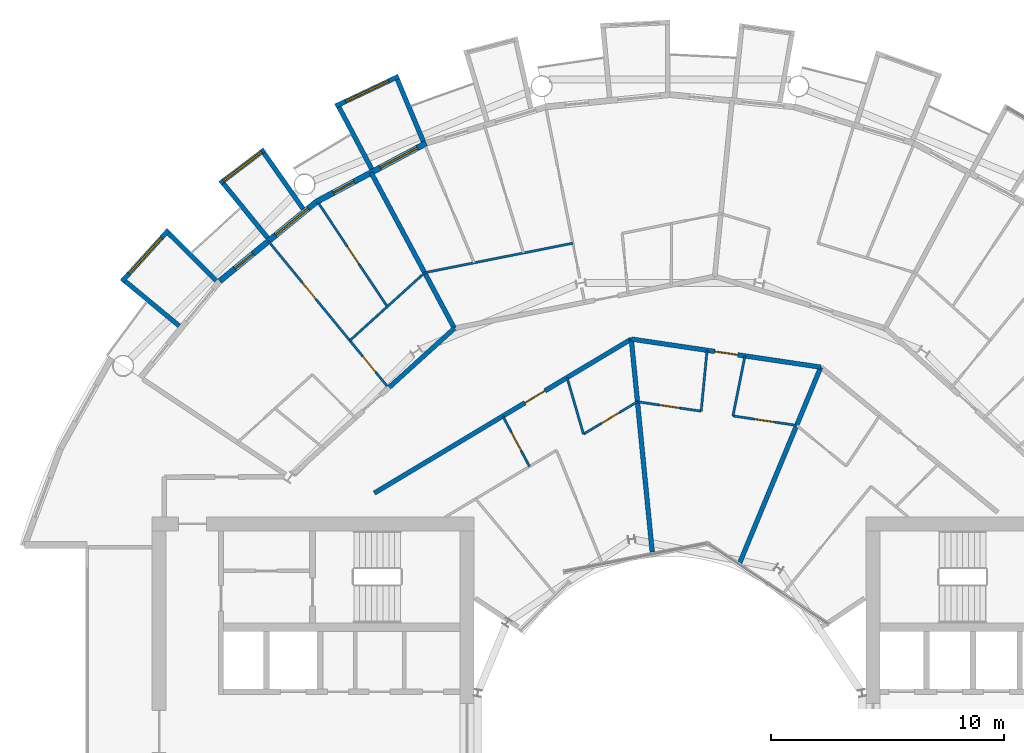
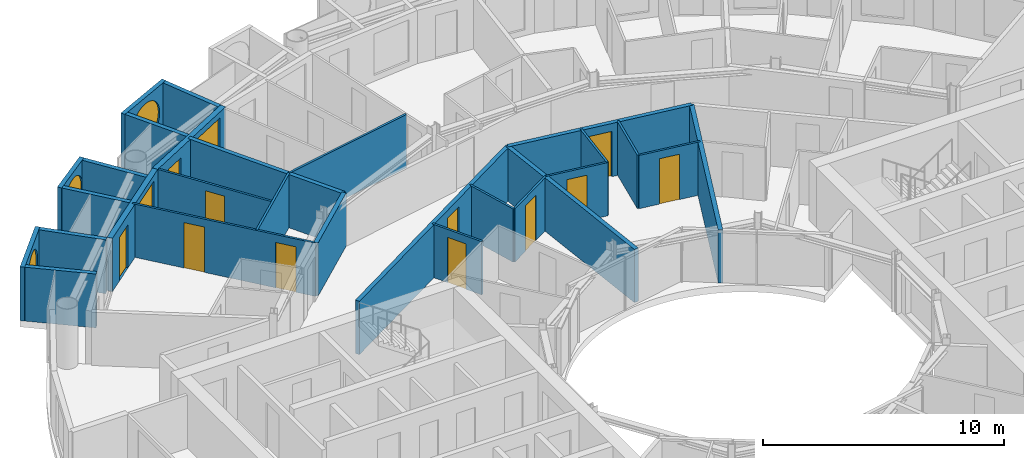
# One storey, part 20 of 28: 28 walls, 11 doors, 5 windows, 16 openings.
"""IFC4 building model written with IfcOpenShell, lengths in metres."""

from ifc_helpers import new_model, si_unit, direction, frame, frame_2d, origin, place, context, subcontext, project, spatial, rectangle, circle, extrude, material, layer, layer_set, type_object, element, fill, save


model = new_model("IFC4")

# Units and contexts
model_context = context("Model", 3, precision=1e-05, world=origin(), true_north=direction((0.0, 1.0)))
body_context = subcontext(model_context, "Body", "Model", "MODEL_VIEW")
ifc_project = project(units=[si_unit("LENGTHUNIT", "METRE"), si_unit("AREAUNIT", "SQUARE_METRE"), si_unit("VOLUMEUNIT", "CUBIC_METRE"), si_unit("PLANEANGLEUNIT", "RADIAN"), si_unit("MASSUNIT", "GRAM", prefix="KILO")], contexts=[model_context])

# Site, building, storey
site_placement = place(None, origin())
site = spatial("IfcSite", under=ifc_project, at=site_placement, CompositionType="ELEMENT")
building_placement = place(site_placement, origin())
building = spatial("IfcBuilding", under=site, at=building_placement, Name="Maasbend Ring Residences", CompositionType="ELEMENT")
storey_placement = place(building_placement, frame((0.0, 0.0, 129.949951171875)))
storey = spatial("IfcBuildingStorey", under=building, at=storey_placement, Name="L37", CompositionType="ELEMENT", Elevation=129.949951171875)

# Wall, opening, door
ifc_material_1 = material(Name="Concrete C30/37", Category="concrete")
ifc_layer_1 = layer(ifc_material_1, 0.199951171875)
ifc_layer_set_1 = layer_set([ifc_layer_1], Name="Concrete C30/37")
wall_type_1 = type_object("IfcWallType", Name="CORRIDOR WALL 200 CONCRETE", PredefinedType="PARTITIONING", material=ifc_layer_set_1)
wall_1_placement = place(storey_placement, frame((-12.675048828125, 10.215087890625, 0.0), z_axis=(0.0, 0.0, 1.0), x_axis=(0.85772761283, 0.514104407867, 0.0)))
wall_1 = element("IfcWall", 1, at=wall_1_placement, inside=storey, type_object=wall_type_1, Name="U-L37-w106", PredefinedType="PARTITIONING", context=body_context, shape_type="SweptSolid", body=[
    extrude(rectangle(XDim=12.845703125, YDim=0.199951171875, at=frame_2d((6.4228515625, 0.0))), origin(), (0.0, 0.0, 1.0), 2.699951171875),
])
opening_1_placement = place(wall_1_placement, frame((7.529052734375, 0.0, 0.0)))
opening_1 = element("IfcOpeningElement", 2, at=opening_1_placement, cuts=wall_1, Name="Opening D-3731", PredefinedType="OPENING", context=body_context, shape_type="SweptSolid", body=[
    extrude(rectangle(XDim=1.0, YDim=2.300048828125, at=frame_2d((0.5, 1.14990234375))), frame((0.0, 0.10986328125, 0.0), z_axis=(0.0, -1.0, 0.0), x_axis=(1.0, 0.0, 0.0)), (0.0, 0.0, 1.0), 0.219970703125),
])
ifc_material_2 = material(Name="Timber, fire-rated, painted", Category="wood")
door_type_1 = type_object("IfcDoorType", Name="FLAT ENTRANCE DOOR 1000 X 2300 FIRE-RATED", OperationType="NOTDEFINED", PredefinedType="DOOR", material=ifc_material_2)
door_1_placement = place(opening_1_placement, origin())
door_1 = element("IfcDoor", 3, at=door_1_placement, inside=storey, type_object=door_type_1, Name="D-3731", OperationType="SINGLE_SWING_RIGHT", OverallHeight=2.300048828125, OverallWidth=1.0, PredefinedType="DOOR", context=body_context, shape_type="SweptSolid", body=[
    extrude(rectangle(XDim=1.0, YDim=2.300048828125, at=frame_2d((0.5, 1.14990234375))), frame((0.0, 0.02490234375, 0.0), z_axis=(0.0, -1.0, 0.0), x_axis=(1.0, 0.0, 0.0)), (0.0, 0.0, 1.0), 0.050048828125),
])
fill(opening_1, door_1)

wall_2_placement = place(storey_placement, frame((-1.656005859375, 16.819091796875, 0.0), z_axis=(0.0, 0.0, 1.0), x_axis=(0.989174071716, -0.146746910856, 0.0)))
wall_2 = element("IfcWall", 4, at=wall_2_placement, inside=storey, type_object=wall_type_1, Name="U-L37-w108", PredefinedType="PARTITIONING", context=body_context, shape_type="SweptSolid", body=[
    extrude(rectangle(XDim=8.2119140625, YDim=0.199951171875, at=frame_2d((4.10595703125, 0.0))), origin(), (0.0, 0.0, 1.0), 2.699951171875),
])
opening_2_placement = place(wall_2_placement, frame((3.614013671875, 0.0, 0.0)))
opening_2 = element("IfcOpeningElement", 5, at=opening_2_placement, cuts=wall_2, Name="Opening D-3728", PredefinedType="OPENING", context=body_context, shape_type="SweptSolid", body=[
    extrude(rectangle(XDim=1.0, YDim=2.300048828125, at=frame_2d((0.5, 1.14990234375))), frame((0.0, 0.10986328125, 0.0), z_axis=(0.0, -1.0, 0.0), x_axis=(1.0, 0.0, 0.0)), (0.0, 0.0, 1.0), 0.219970703125),
])
door_2_placement = place(opening_2_placement, origin())
door_2 = element("IfcDoor", 6, at=door_2_placement, inside=storey, type_object=door_type_1, Name="D-3728", OperationType="SINGLE_SWING_RIGHT", OverallHeight=2.300048828125, OverallWidth=1.0, PredefinedType="DOOR", context=body_context, shape_type="SweptSolid", body=[
    extrude(rectangle(XDim=1.0, YDim=2.300048828125, at=frame_2d((0.5, 1.14990234375))), frame((0.0, 0.02490234375, 0.0), z_axis=(0.0, -1.0, 0.0), x_axis=(1.0, 0.0, 0.0)), (0.0, 0.0, 1.0), 0.050048828125),
])
fill(opening_2, door_2)

# Wall
wall_3_placement = place(storey_placement, frame((-12.055908203125, 14.73095703125, 0.0), z_axis=(0.0, 0.0, 1.0), x_axis=(0.74113339149, 0.671357800296, 0.0)))
element("IfcWall", 7, at=wall_3_placement, inside=storey, type_object=wall_type_1, Name="U-L37-w113", PredefinedType="PARTITIONING", context=body_context, shape_type="SweptSolid", body=[
    extrude(rectangle(XDim=3.810302734375, YDim=0.199951171875, at=frame_2d((1.9052734375, 0.0))), origin(), (0.0, 0.0, 1.0), 2.699951171875),
])

# Wall, opening, window
ifc_material_3 = material(Name="Pale anodised aluminium panel", Category="aluminium")
ifc_layer_2 = layer(ifc_material_3, 0.199951171875)
ifc_layer_set_2 = layer_set([ifc_layer_2], Name="EW-BOX")
wall_type_2 = type_object("IfcWallType", Name="EW-BOX", PredefinedType="SOLIDWALL", material=ifc_layer_set_2)
wall_4_placement = place(storey_placement, frame((-11.62890625, 28.087890625, -0.030029296875), z_axis=(0.0, 0.0, 1.0), x_axis=(-0.904000060331, -0.427532327342, 0.0)))
wall_4 = element("IfcWall", 8, at=wall_4_placement, inside=storey, type_object=wall_type_2, Name="Box front N15", PredefinedType="SOLIDWALL", context=body_context, shape_type="SweptSolid", body=[
    extrude(rectangle(XDim=2.993408203125, YDim=0.199951171875, at=frame_2d((1.49658203125, 0.0))), origin(), (0.0, 0.0, 1.0), 2.72998046875),
])
opening_3_placement = place(wall_4_placement, frame((0.45654296875, 0.0, 0.330078125)))
opening_3 = element("IfcOpeningElement", 9, at=opening_3_placement, cuts=wall_4, Name="Opening W-RD", PredefinedType="OPENING", context=body_context, shape_type="SweptSolid", body=[
    extrude(circle(Radius=1.0400390625, at=frame_2d((1.0400390625, 1.0400390625))), frame((0.0, 0.10986328125, 0.0), z_axis=(0.0, -1.0, 0.0), x_axis=(1.0, 0.0, 0.0)), (0.0, 0.0, 1.0), 0.219970703125),
])
ifc_material_4 = material(Name="Aluminium and clear glass", Category="aluminium")
window_type_1 = type_object("IfcWindowType", Name="W-RD", PartitioningType="SINGLE_PANEL", PredefinedType="WINDOW", material=ifc_material_4)
window_1_placement = place(opening_3_placement, origin())
window_1 = element("IfcWindow", 10, at=window_1_placement, inside=storey, type_object=window_type_1, Name="Round window N15", OverallHeight=2.080078125, OverallWidth=2.080078125, PartitioningType="SINGLE_PANEL", PredefinedType="WINDOW", context=body_context, shape_type="SweptSolid", body=[
    extrude(circle(Radius=1.0400390625, at=frame_2d((1.0400390625, 1.0400390625))), frame((0.0, 0.030029296875, 0.0), z_axis=(0.0, -1.0, 0.0), x_axis=(1.0, 0.0, 0.0)), (0.0, 0.0, 1.0), 0.06005859375),
])
fill(opening_3, window_1)

# Walls
wall_5_placement = place(storey_placement, frame((-10.574951171875, 25.294921875, -0.030029296875), z_axis=(0.0, 0.0, 1.0), x_axis=(-0.385697364644, 0.922625353492, 0.0)))
element("IfcWall", 11, at=wall_5_placement, inside=storey, type_object=wall_type_2, Name="Box side wall N15 left", PredefinedType="SOLIDWALL", context=body_context, shape_type="SweptSolid", body=[
    extrude(rectangle(XDim=2.88330078125, YDim=0.199951171875, at=frame_2d((1.441650390625, 0.0))), origin(), (0.0, 0.0, 1.0), 2.72998046875),
])
wall_6_placement = place(storey_placement, frame((-12.787109375, 24.113037109375, -0.030029296875), z_axis=(0.0, 0.0, 1.0), x_axis=(-0.468365282436, 0.883534924159, 0.0)))
element("IfcWall", 12, at=wall_6_placement, inside=storey, type_object=wall_type_2, Name="Box side wall N15 right", PredefinedType="SOLIDWALL", context=body_context, shape_type="SweptSolid", body=[
    extrude(rectangle(XDim=3.006103515625, YDim=0.199951171875, at=frame_2d((1.5029296875, 0.0))), origin(), (0.0, 0.0, 1.0), 2.72998046875),
])

# Wall, opening, window
wall_7_placement = place(storey_placement, frame((-17.382080078125, 24.93994140625, -0.030029296875), z_axis=(0.0, 0.0, 1.0), x_axis=(-0.797456837111, -0.603375996329, 0.0)))
wall_7 = element("IfcWall", 13, at=wall_7_placement, inside=storey, type_object=wall_type_2, Name="Box front N17", PredefinedType="SOLIDWALL", context=body_context, shape_type="SweptSolid", body=[
    extrude(rectangle(XDim=2.391357421875, YDim=0.199951171875, at=frame_2d((1.19580078125, 0.0))), origin(), (0.0, 0.0, 1.0), 2.72998046875),
])
opening_4_placement = place(wall_7_placement, frame((0.15576171875, 0.0, 0.330078125)))
opening_4 = element("IfcOpeningElement", 14, at=opening_4_placement, cuts=wall_7, Name="Opening W-RD", PredefinedType="OPENING", context=body_context, shape_type="SweptSolid", body=[
    extrude(circle(Radius=1.0400390625, at=frame_2d((1.0400390625, 1.0400390625))), frame((0.0, 0.10986328125, 0.0), z_axis=(0.0, -1.0, 0.0), x_axis=(1.0, 0.0, 0.0)), (0.0, 0.0, 1.0), 0.219970703125),
])
window_2_placement = place(opening_4_placement, origin())
window_2 = element("IfcWindow", 15, at=window_2_placement, inside=storey, type_object=window_type_1, Name="Round window N17", OverallHeight=2.080078125, OverallWidth=2.080078125, PartitioningType="SINGLE_PANEL", PredefinedType="WINDOW", context=body_context, shape_type="SweptSolid", body=[
    extrude(circle(Radius=1.0400390625, at=frame_2d((1.0400390625, 1.0400390625))), frame((0.0, 0.030029296875, 0.0), z_axis=(0.0, -1.0, 0.0), x_axis=(1.0, 0.0, 0.0)), (0.0, 0.0, 1.0), 0.06005859375),
])
fill(opening_4, window_2)

# Walls
wall_8_placement = place(storey_placement, frame((-15.72607421875, 22.402099609375, -0.030029296875), z_axis=(0.0, 0.0, 1.0), x_axis=(-0.574826383135, 0.818275399393, 0.0)))
element("IfcWall", 16, at=wall_8_placement, inside=storey, type_object=wall_type_2, Name="Box side wall N17 left", PredefinedType="SOLIDWALL", context=body_context, shape_type="SweptSolid", body=[
    extrude(rectangle(XDim=2.92919921875, YDim=0.199951171875, at=frame_2d((1.464599609375, 0.0))), origin(), (0.0, 0.0, 1.0), 2.72998046875),
])
wall_9_placement = place(storey_placement, frame((-17.24609375, 21.155029296875, -0.030029296875), z_axis=(0.0, 0.0, 1.0), x_axis=(-0.631741648902, 0.775179004516, 0.0)))
element("IfcWall", 17, at=wall_9_placement, inside=storey, type_object=wall_type_2, Name="Box side wall N17 right", PredefinedType="SOLIDWALL", context=body_context, shape_type="SweptSolid", body=[
    extrude(rectangle(XDim=3.005859375, YDim=0.199951171875, at=frame_2d((1.5029296875, 0.0))), origin(), (0.0, 0.0, 1.0), 2.72998046875),
])

# Wall, opening, window
wall_10_placement = place(storey_placement, frame((-21.492919921875, 21.5, -0.030029296875), z_axis=(0.0, 0.0, 1.0), x_axis=(-0.671506829416, -0.740998365753, 0.0)))
wall_10 = element("IfcWall", 18, at=wall_10_placement, inside=storey, type_object=wall_type_2, Name="Box front N19", PredefinedType="SOLIDWALL", context=body_context, shape_type="SweptSolid", body=[
    extrude(rectangle(XDim=2.9931640625, YDim=0.199951171875, at=frame_2d((1.49658203125, 0.0))), origin(), (0.0, 0.0, 1.0), 2.72998046875),
])
opening_5_placement = place(wall_10_placement, frame((0.45654296875, 0.0, 0.330078125)))
opening_5 = element("IfcOpeningElement", 19, at=opening_5_placement, cuts=wall_10, Name="Opening W-RD", PredefinedType="OPENING", context=body_context, shape_type="SweptSolid", body=[
    extrude(circle(Radius=1.0400390625, at=frame_2d((1.0400390625, 1.0400390625))), frame((0.0, 0.10986328125, 0.0), z_axis=(0.0, -1.0, 0.0), x_axis=(1.0, 0.0, 0.0)), (0.0, 0.0, 1.0), 0.219970703125),
])
window_3_placement = place(opening_5_placement, origin())
window_3 = element("IfcWindow", 20, at=window_3_placement, inside=storey, type_object=window_type_1, Name="Round window N19", OverallHeight=2.080078125, OverallWidth=2.080078125, PartitioningType="SINGLE_PANEL", PredefinedType="WINDOW", context=body_context, shape_type="SweptSolid", body=[
    extrude(circle(Radius=1.0400390625, at=frame_2d((1.0400390625, 1.0400390625))), frame((0.0, 0.030029296875, 0.0), z_axis=(0.0, -1.0, 0.0), x_axis=(1.0, 0.0, 0.0)), (0.0, 0.0, 1.0), 0.06005859375),
])
fill(opening_5, window_3)

# Walls
wall_11_placement = place(storey_placement, frame((-19.449951171875, 19.322998046875, -0.030029296875), z_axis=(0.0, 0.0, 1.0), x_axis=(-0.709727076896, 0.704476739375, 0.0)))
element("IfcWall", 21, at=wall_11_placement, inside=storey, type_object=wall_type_2, Name="Box side wall N19 left", PredefinedType="SOLIDWALL", context=body_context, shape_type="SweptSolid", body=[
    extrude(rectangle(XDim=2.883056640625, YDim=0.199951171875, at=frame_2d((1.44140625, 0.0))), origin(), (0.0, 0.0, 1.0), 2.72998046875),
])
wall_12_placement = place(storey_placement, frame((-21.041015625, 17.384033203125, -0.030029296875), z_axis=(0.0, 0.0, 1.0), x_axis=(-0.770784861449, 0.63709551667, 0.0)))
element("IfcWall", 22, at=wall_12_placement, inside=storey, type_object=wall_type_2, Name="Box side wall N19 right", PredefinedType="SOLIDWALL", context=body_context, shape_type="SweptSolid", body=[
    extrude(rectangle(XDim=3.005859375, YDim=0.199951171875, at=frame_2d((1.5029296875, 0.0))), origin(), (0.0, 0.0, 1.0), 2.72998046875),
])

# Wall, openings, door, window
ifc_material_5 = material(Name="Aluminium clad insulated panel", Category="aluminium")
ifc_layer_3 = layer(ifc_material_5, 0.25)
ifc_layer_set_3 = layer_set([ifc_layer_3], Name="EW-GL")
wall_type_3 = type_object("IfcWallType", Name="EW-GL", PredefinedType="SOLIDWALL", material=ifc_layer_set_3)
wall_13_placement = place(storey_placement, frame((-10.447021484375, 25.221923828125, 0.0), z_axis=(0.0, 0.0, 1.0), x_axis=(-0.881915646801, -0.471407246368, 0.0)))
wall_13 = element("IfcWall", 23, at=wall_13_placement, inside=storey, type_object=wall_type_3, Name="External wall N08", PredefinedType="SOLIDWALL", context=body_context, shape_type="SweptSolid", body=[
    extrude(rectangle(XDim=5.35205078125, YDim=0.25, at=frame_2d((2.676025390625, 0.0))), origin(), (0.0, 0.0, 1.0), 2.699951171875),
])
opening_6_placement = place(wall_13_placement, frame((0.441162109375, 0.0, 0.300048828125)))
opening_6 = element("IfcOpeningElement", 24, at=opening_6_placement, cuts=wall_13, Name="Opening W-BX", PredefinedType="OPENING", context=body_context, shape_type="SweptSolid", body=[
    extrude(rectangle(XDim=1.800048828125, YDim=2.10009765625, at=frame_2d((0.89990234375, 1.050048828125))), frame((0.0, 0.135009765625, 0.0), z_axis=(0.0, -1.0, 0.0), x_axis=(1.0, 0.0, 0.0)), (0.0, 0.0, 1.0), 0.27001953125),
])
opening_7_placement = place(wall_13_placement, frame((3.510498046875, 0.0, 0.0)))
opening_7 = element("IfcOpeningElement", 25, at=opening_7_placement, cuts=wall_13, Name="Opening D-LG", PredefinedType="OPENING", context=body_context, shape_type="SweptSolid", body=[
    extrude(rectangle(XDim=1.0, YDim=2.199951171875, at=frame_2d((0.5, 1.10009765625))), frame((0.0, 0.135009765625, 0.0), z_axis=(0.0, -1.0, 0.0), x_axis=(1.0, 0.0, 0.0)), (0.0, 0.0, 1.0), 0.27001953125),
])
ifc_material_6 = material(Name="Aluminium and clear glass", Category="aluminium")
door_type_2 = type_object("IfcDoorType", Name="D-LG", OperationType="SINGLE_SWING_LEFT", PredefinedType="DOOR", material=ifc_material_6)
door_3_placement = place(opening_7_placement, origin())
door_3 = element("IfcDoor", 26, at=door_3_placement, inside=storey, type_object=door_type_2, Name="Loggia door N16", OperationType="SINGLE_SWING_LEFT", OverallHeight=2.199951171875, OverallWidth=1.0, PredefinedType="DOOR", context=body_context, shape_type="SweptSolid", body=[
    extrude(rectangle(XDim=1.0, YDim=2.199951171875, at=frame_2d((0.5, 1.10009765625))), frame((0.0, 0.02490234375, 0.0), z_axis=(0.0, -1.0, 0.0), x_axis=(1.0, 0.0, 0.0)), (0.0, 0.0, 1.0), 0.050048828125),
])
fill(opening_7, door_3)
ifc_material_7 = material(Name="Aluminium and clear glass", Category="aluminium")
window_type_2 = type_object("IfcWindowType", Name="W-BX", PartitioningType="DOUBLE_PANEL_VERTICAL", PredefinedType="WINDOW", material=ifc_material_7)
window_4_placement = place(opening_6_placement, origin())
window_4 = element("IfcWindow", 27, at=window_4_placement, inside=storey, type_object=window_type_2, Name="Window N15 room to box", OverallHeight=2.10009765625, OverallWidth=1.800048828125, PartitioningType="SINGLE_PANEL", PredefinedType="WINDOW", context=body_context, shape_type="SweptSolid", body=[
    extrude(rectangle(XDim=1.800048828125, YDim=2.10009765625, at=frame_2d((0.89990234375, 1.050048828125))), frame((0.0, 0.030029296875, 0.0), z_axis=(0.0, -1.0, 0.0), x_axis=(1.0, 0.0, 0.0)), (0.0, 0.0, 1.0), 0.06005859375),
])
fill(opening_6, window_4)

wall_14_placement = place(storey_placement, frame((-15.1669921875, 22.698974609375, 0.0), z_axis=(0.0, 0.0, 1.0), x_axis=(-0.773019449054, -0.634382322723, 0.0)))
wall_14 = element("IfcWall", 28, at=wall_14_placement, inside=storey, type_object=wall_type_3, Name="External wall N09", PredefinedType="SOLIDWALL", context=body_context, shape_type="SweptSolid", body=[
    extrude(rectangle(XDim=5.351806640625, YDim=0.25, at=frame_2d((2.67578125, 0.0))), origin(), (0.0, 0.0, 1.0), 2.699951171875),
])
opening_8_placement = place(wall_14_placement, frame((0.441162109375, 0.0, 0.300048828125)))
opening_8 = element("IfcOpeningElement", 29, at=opening_8_placement, cuts=wall_14, Name="Opening W-BX", PredefinedType="OPENING", context=body_context, shape_type="SweptSolid", body=[
    extrude(rectangle(XDim=1.800048828125, YDim=2.10009765625, at=frame_2d((0.89990234375, 1.050048828125))), frame((0.0, 0.135009765625, 0.0), z_axis=(0.0, -1.0, 0.0), x_axis=(1.0, 0.0, 0.0)), (0.0, 0.0, 1.0), 0.27001953125),
])
opening_9_placement = place(wall_14_placement, frame((3.510498046875, 0.0, 0.0)))
opening_9 = element("IfcOpeningElement", 30, at=opening_9_placement, cuts=wall_14, Name="Opening D-LG", PredefinedType="OPENING", context=body_context, shape_type="SweptSolid", body=[
    extrude(rectangle(XDim=1.0, YDim=2.199951171875, at=frame_2d((0.5, 1.10009765625))), frame((0.0, 0.135009765625, 0.0), z_axis=(0.0, -1.0, 0.0), x_axis=(1.0, 0.0, 0.0)), (0.0, 0.0, 1.0), 0.27001953125),
])
door_4_placement = place(opening_9_placement, origin())
door_4 = element("IfcDoor", 31, at=door_4_placement, inside=storey, type_object=door_type_2, Name="Loggia door N18", OperationType="SINGLE_SWING_LEFT", OverallHeight=2.199951171875, OverallWidth=1.0, PredefinedType="DOOR", context=body_context, shape_type="SweptSolid", body=[
    extrude(rectangle(XDim=1.0, YDim=2.199951171875, at=frame_2d((0.5, 1.10009765625))), frame((0.0, 0.02490234375, 0.0), z_axis=(0.0, -1.0, 0.0), x_axis=(1.0, 0.0, 0.0)), (0.0, 0.0, 1.0), 0.050048828125),
])
fill(opening_9, door_4)
window_5_placement = place(opening_8_placement, origin())
window_5 = element("IfcWindow", 32, at=window_5_placement, inside=storey, type_object=window_type_2, Name="Window N17 room to box", OverallHeight=2.10009765625, OverallWidth=1.800048828125, PartitioningType="SINGLE_PANEL", PredefinedType="WINDOW", context=body_context, shape_type="SweptSolid", body=[
    extrude(rectangle(XDim=1.800048828125, YDim=2.10009765625, at=frame_2d((0.89990234375, 1.050048828125))), frame((0.0, 0.030029296875, 0.0), z_axis=(0.0, -1.0, 0.0), x_axis=(1.0, 0.0, 0.0)), (0.0, 0.0, 1.0), 0.06005859375),
])
fill(opening_8, window_5)

# Wall, openings, doors
ifc_material_8 = material(Name="Gypsum board on steel studs", Category="steel")
ifc_layer_4 = layer(ifc_material_8, 0.10009765625)
ifc_layer_set_4 = layer_set([ifc_layer_4], Name="PARTITION 100 GYPSUM")
wall_type_4 = type_object("IfcWallType", Name="PARTITION 100 GYPSUM", PredefinedType="PARTITIONING", material=ifc_layer_set_4)
wall_15_placement = place(storey_placement, frame((-17.220947265625, 21.02197265625, 0.0), z_axis=(0.0, 0.0, 1.0), x_axis=(0.633735868108, -0.773549513266, 0.0)))
wall_15 = element("IfcWall", 33, at=wall_15_placement, inside=storey, type_object=wall_type_4, Name="U-L37-w032", PredefinedType="PARTITIONING", context=body_context, shape_type="SweptSolid", body=[
    extrude(rectangle(XDim=8.138916015625, YDim=0.10009765625, at=frame_2d((4.0693359375, 0.0))), origin(), (0.0, 0.0, 1.0), 2.699951171875),
])
opening_10_placement = place(wall_15_placement, frame((6.3779296875, 0.0, 0.0)))
opening_10 = element("IfcOpeningElement", 34, at=opening_10_placement, cuts=wall_15, Name="Opening D-3721", PredefinedType="OPENING", context=body_context, shape_type="SweptSolid", body=[
    extrude(rectangle(XDim=0.89990234375, YDim=2.300048828125, at=frame_2d((0.449951171875, 1.14990234375))), frame((0.0, 0.06005859375, 0.0), z_axis=(0.0, -1.0, 0.0), x_axis=(1.0, 0.0, 0.0)), (0.0, 0.0, 1.0), 0.1201171875),
])
opening_11_placement = place(wall_15_placement, frame((2.30810546875, 0.0, 0.0)))
opening_11 = element("IfcOpeningElement", 35, at=opening_11_placement, cuts=wall_15, Name="Opening D-3722", PredefinedType="OPENING", context=body_context, shape_type="SweptSolid", body=[
    extrude(rectangle(XDim=0.89990234375, YDim=2.300048828125, at=frame_2d((0.449951171875, 1.14990234375))), frame((0.0, 0.06005859375, 0.0), z_axis=(0.0, -1.0, 0.0), x_axis=(1.0, 0.0, 0.0)), (0.0, 0.0, 1.0), 0.1201171875),
])
ifc_material_9 = material(Name="Timber, painted", Category="wood")
door_type_3 = type_object("IfcDoorType", Name="INTERNAL DOOR 900 X 2300", OperationType="NOTDEFINED", PredefinedType="DOOR", material=ifc_material_9)
door_5_placement = place(opening_10_placement, origin())
door_5 = element("IfcDoor", 36, at=door_5_placement, inside=storey, type_object=door_type_3, Name="D-3721", OperationType="SINGLE_SWING_RIGHT", OverallHeight=2.300048828125, OverallWidth=0.89990234375, PredefinedType="DOOR", context=body_context, shape_type="SweptSolid", body=[
    extrude(rectangle(XDim=0.89990234375, YDim=2.300048828125, at=frame_2d((0.449951171875, 1.14990234375))), frame((0.0, 0.02490234375, 0.0), z_axis=(0.0, -1.0, 0.0), x_axis=(1.0, 0.0, 0.0)), (0.0, 0.0, 1.0), 0.050048828125),
])
fill(opening_10, door_5)
door_6_placement = place(opening_11_placement, origin())
door_6 = element("IfcDoor", 37, at=door_6_placement, inside=storey, type_object=door_type_3, Name="D-3722", OperationType="SINGLE_SWING_LEFT", OverallHeight=2.300048828125, OverallWidth=0.89990234375, PredefinedType="DOOR", context=body_context, shape_type="SweptSolid", body=[
    extrude(rectangle(XDim=0.89990234375, YDim=2.300048828125, at=frame_2d((0.449951171875, 1.14990234375))), frame((0.0, 0.02490234375, 0.0), z_axis=(0.0, -1.0, 0.0), x_axis=(1.0, 0.0, 0.0)), (0.0, 0.0, 1.0), 0.050048828125),
])
fill(opening_11, door_6)

# Wall, opening, door
wall_16_placement = place(storey_placement, frame((-15.053955078125, 22.6240234375, 0.0), z_axis=(0.0, 0.0, 1.0), x_axis=(0.553913391217, -0.832574294, 0.0)))
wall_16 = element("IfcWall", 38, at=wall_16_placement, inside=storey, type_object=wall_type_4, Name="U-L37-w037", PredefinedType="PARTITIONING", context=body_context, shape_type="SweptSolid", body=[
    extrude(rectangle(XDim=5.300537109375, YDim=0.10009765625, at=frame_2d((2.650390625, 0.0))), origin(), (0.0, 0.0, 1.0), 2.699951171875),
])
opening_12_placement = place(wall_16_placement, frame((2.199951171875, 0.0, 0.0)))
opening_12 = element("IfcOpeningElement", 39, at=opening_12_placement, cuts=wall_16, Name="Opening D-3723", PredefinedType="OPENING", context=body_context, shape_type="SweptSolid", body=[
    extrude(rectangle(XDim=0.89990234375, YDim=2.300048828125, at=frame_2d((0.449951171875, 1.14990234375))), frame((0.0, 0.06005859375, 0.0), z_axis=(0.0, -1.0, 0.0), x_axis=(1.0, 0.0, 0.0)), (0.0, 0.0, 1.0), 0.1201171875),
])
door_7_placement = place(opening_12_placement, origin())
door_7 = element("IfcDoor", 40, at=door_7_placement, inside=storey, type_object=door_type_3, Name="D-3723", OperationType="SINGLE_SWING_LEFT", OverallHeight=2.300048828125, OverallWidth=0.89990234375, PredefinedType="DOOR", context=body_context, shape_type="SweptSolid", body=[
    extrude(rectangle(XDim=0.89990234375, YDim=2.300048828125, at=frame_2d((0.449951171875, 1.14990234375))), frame((0.0, 0.02490234375, 0.0), z_axis=(0.0, -1.0, 0.0), x_axis=(1.0, 0.0, 0.0)), (0.0, 0.0, 1.0), 0.050048828125),
])
fill(opening_12, door_7)

wall_17_placement = place(storey_placement, frame((-7.166015625, 13.51708984375, 0.0), z_axis=(0.0, 0.0, 1.0), x_axis=(0.468337293896, -0.883549760425, 0.0)))
wall_17 = element("IfcWall", 41, at=wall_17_placement, inside=storey, type_object=wall_type_4, Name="U-L37-w049", PredefinedType="PARTITIONING", context=body_context, shape_type="SweptSolid", body=[
    extrude(rectangle(XDim=2.44482421875, YDim=0.10009765625, at=frame_2d((1.222412109375, 0.0))), origin(), (0.0, 0.0, 1.0), 2.699951171875),
])
opening_13_placement = place(wall_17_placement, frame((0.77197265625, 0.0, 0.0)))
opening_13 = element("IfcOpeningElement", 42, at=opening_13_placement, cuts=wall_17, Name="Opening D-3733", PredefinedType="OPENING", context=body_context, shape_type="SweptSolid", body=[
    extrude(rectangle(XDim=0.89990234375, YDim=2.300048828125, at=frame_2d((0.449951171875, 1.14990234375))), frame((0.0, 0.06005859375, 0.0), z_axis=(0.0, -1.0, 0.0), x_axis=(1.0, 0.0, 0.0)), (0.0, 0.0, 1.0), 0.1201171875),
])
door_8_placement = place(opening_13_placement, origin())
door_8 = element("IfcDoor", 43, at=door_8_placement, inside=storey, type_object=door_type_3, Name="D-3733", OperationType="SINGLE_SWING_LEFT", OverallHeight=2.300048828125, OverallWidth=0.89990234375, PredefinedType="DOOR", context=body_context, shape_type="SweptSolid", body=[
    extrude(rectangle(XDim=0.89990234375, YDim=2.300048828125, at=frame_2d((0.449951171875, 1.14990234375))), frame((0.0, 0.02490234375, 0.0), z_axis=(0.0, -1.0, 0.0), x_axis=(1.0, 0.0, 0.0)), (0.0, 0.0, 1.0), 0.050048828125),
])
fill(opening_13, door_8)

# Walls
wall_18_placement = place(storey_placement, frame((-4.410888671875, 15.16796875, 0.0), z_axis=(0.0, 0.0, 1.0), x_axis=(0.279201466266, -0.960232545395, 0.0)))
element("IfcWall", 44, at=wall_18_placement, inside=storey, type_object=wall_type_4, Name="U-L37-w055", PredefinedType="PARTITIONING", context=body_context, shape_type="SweptSolid", body=[
    extrude(rectangle(XDim=2.5244140625, YDim=0.10009765625, at=frame_2d((1.26220703125, 0.0))), origin(), (0.0, 0.0, 1.0), 2.699951171875),
])
wall_19_placement = place(storey_placement, frame((1.339111328125, 13.72705078125, 0.0), z_axis=(0.0, 0.0, 1.0), x_axis=(0.096830025237, 0.995300932489, 0.0)))
element("IfcWall", 45, at=wall_19_placement, inside=storey, type_object=wall_type_4, Name="U-L37-w065", PredefinedType="PARTITIONING", context=body_context, shape_type="SweptSolid", body=[
    extrude(rectangle(XDim=2.6220703125, YDim=0.10009765625, at=frame_2d((1.31103515625, 0.0))), origin(), (0.0, 0.0, 1.0), 2.699951171875),
])
wall_20_placement = place(storey_placement, frame((2.7041015625, 13.52392578125, 0.0), z_axis=(0.0, 0.0, 1.0), x_axis=(0.195937128464, 0.980616460034, 0.0)))
element("IfcWall", 46, at=wall_20_placement, inside=storey, type_object=wall_type_4, Name="U-L37-w069", PredefinedType="PARTITIONING", context=body_context, shape_type="SweptSolid", body=[
    extrude(rectangle(XDim=2.622802734375, YDim=0.10009765625, at=frame_2d((1.3115234375, 0.0))), origin(), (0.0, 0.0, 1.0), 2.699951171875),
])

# Wall, opening, door
wall_21_placement = place(storey_placement, frame((-3.7060546875, 12.743896484375, 0.0), z_axis=(0.0, 0.0, 1.0), x_axis=(0.857524856518, 0.514442533674, 0.0)))
wall_21 = element("IfcWall", 47, at=wall_21_placement, inside=storey, type_object=wall_type_4, Name="U-L37-w101", PredefinedType="PARTITIONING", context=body_context, shape_type="SweptSolid", body=[
    extrude(rectangle(XDim=2.698486328125, YDim=0.10009765625, at=frame_2d((1.34912109375, 0.0))), origin(), (0.0, 0.0, 1.0), 2.699951171875),
])
opening_14_placement = place(wall_21_placement, frame((0.89892578125, 0.0, 0.0)))
opening_14 = element("IfcOpeningElement", 48, at=opening_14_placement, cuts=wall_21, Name="Opening D-3732", PredefinedType="OPENING", context=body_context, shape_type="SweptSolid", body=[
    extrude(rectangle(XDim=0.89990234375, YDim=2.300048828125, at=frame_2d((0.449951171875, 1.14990234375))), frame((0.0, 0.06005859375, 0.0), z_axis=(0.0, -1.0, 0.0), x_axis=(1.0, 0.0, 0.0)), (0.0, 0.0, 1.0), 0.1201171875),
])
door_9_placement = place(opening_14_placement, origin())
door_9 = element("IfcDoor", 49, at=door_9_placement, inside=storey, type_object=door_type_3, Name="D-3732", OperationType="SINGLE_SWING_RIGHT", OverallHeight=2.300048828125, OverallWidth=0.89990234375, PredefinedType="DOOR", context=body_context, shape_type="SweptSolid", body=[
    extrude(rectangle(XDim=0.89990234375, YDim=2.300048828125, at=frame_2d((0.449951171875, 1.14990234375))), frame((0.0, 0.02490234375, 0.0), z_axis=(0.0, -1.0, 0.0), x_axis=(1.0, 0.0, 0.0)), (0.0, 0.0, 1.0), 0.050048828125),
])
fill(opening_14, door_9)

wall_22_placement = place(storey_placement, frame((-1.39208984375, 14.132080078125, 0.0), z_axis=(0.0, 0.0, 1.0), x_axis=(0.989153611195, -0.146884762516, 0.0)))
wall_22 = element("IfcWall", 50, at=wall_22_placement, inside=storey, type_object=wall_type_4, Name="U-L37-w104", PredefinedType="PARTITIONING", context=body_context, shape_type="SweptSolid", body=[
    extrude(rectangle(XDim=2.76416015625, YDim=0.10009765625, at=frame_2d((1.382080078125, 0.0))), origin(), (0.0, 0.0, 1.0), 2.699951171875),
])
opening_15_placement = place(wall_22_placement, frame((0.931884765625, 0.0, 0.0)))
opening_15 = element("IfcOpeningElement", 51, at=opening_15_placement, cuts=wall_22, Name="Opening D-3730", PredefinedType="OPENING", context=body_context, shape_type="SweptSolid", body=[
    extrude(rectangle(XDim=0.89990234375, YDim=2.300048828125, at=frame_2d((0.449951171875, 1.14990234375))), frame((0.0, 0.06005859375, 0.0), z_axis=(0.0, -1.0, 0.0), x_axis=(1.0, 0.0, 0.0)), (0.0, 0.0, 1.0), 0.1201171875),
])
door_10_placement = place(opening_15_placement, origin())
door_10 = element("IfcDoor", 52, at=door_10_placement, inside=storey, type_object=door_type_3, Name="D-3730", OperationType="SINGLE_SWING_RIGHT", OverallHeight=2.300048828125, OverallWidth=0.89990234375, PredefinedType="DOOR", context=body_context, shape_type="SweptSolid", body=[
    extrude(rectangle(XDim=0.89990234375, YDim=2.300048828125, at=frame_2d((0.449951171875, 1.14990234375))), frame((0.0, 0.02490234375, 0.0), z_axis=(0.0, -1.0, 0.0), x_axis=(1.0, 0.0, 0.0)), (0.0, 0.0, 1.0), 0.050048828125),
])
fill(opening_15, door_10)

wall_23_placement = place(storey_placement, frame((2.70703125, 13.52294921875, 0.0), z_axis=(0.0, 0.0, 1.0), x_axis=(0.98916494308, -0.146808430897, 0.0)))
wall_23 = element("IfcWall", 53, at=wall_23_placement, inside=storey, type_object=wall_type_4, Name="U-L37-w105", PredefinedType="PARTITIONING", context=body_context, shape_type="SweptSolid", body=[
    extrude(rectangle(XDim=2.7587890625, YDim=0.10009765625, at=frame_2d((1.37939453125, 0.0))), origin(), (0.0, 0.0, 1.0), 2.699951171875),
])
opening_16_placement = place(wall_23_placement, frame((0.927001953125, 0.0, 0.0)))
opening_16 = element("IfcOpeningElement", 54, at=opening_16_placement, cuts=wall_23, Name="Opening D-3729", PredefinedType="OPENING", context=body_context, shape_type="SweptSolid", body=[
    extrude(rectangle(XDim=0.89990234375, YDim=2.300048828125, at=frame_2d((0.449951171875, 1.14990234375))), frame((0.0, 0.06005859375, 0.0), z_axis=(0.0, -1.0, 0.0), x_axis=(1.0, 0.0, 0.0)), (0.0, 0.0, 1.0), 0.1201171875),
])
door_11_placement = place(opening_16_placement, origin())
door_11 = element("IfcDoor", 55, at=door_11_placement, inside=storey, type_object=door_type_3, Name="D-3729", OperationType="SINGLE_SWING_LEFT", OverallHeight=2.300048828125, OverallWidth=0.89990234375, PredefinedType="DOOR", context=body_context, shape_type="SweptSolid", body=[
    extrude(rectangle(XDim=0.89990234375, YDim=2.300048828125, at=frame_2d((0.449951171875, 1.14990234375))), frame((0.0, 0.02490234375, 0.0), z_axis=(0.0, -1.0, 0.0), x_axis=(1.0, 0.0, 0.0)), (0.0, 0.0, 1.0), 0.050048828125),
])
fill(opening_16, door_11)

# Walls
wall_24_placement = place(storey_placement, frame((-10.512939453125, 19.6669921875, 0.0), z_axis=(0.0, 0.0, 1.0), x_axis=(0.980783231687, 0.195100621324, 0.0)))
element("IfcWall", 56, at=wall_24_placement, inside=storey, type_object=wall_type_4, Name="U-L37-w117", PredefinedType="PARTITIONING", context=body_context, shape_type="SweptSolid", body=[
    extrude(rectangle(XDim=6.473388671875, YDim=0.10009765625, at=frame_2d((3.23681640625, 0.0))), origin(), (0.0, 0.0, 1.0), 2.699951171875),
])
wall_25_placement = place(storey_placement, frame((-13.72412109375, 16.7548828125, 0.0), z_axis=(0.0, 0.0, 1.0), x_axis=(0.741022791884, 0.671479874537, 0.0)))
element("IfcWall", 57, at=wall_25_placement, inside=storey, type_object=wall_type_4, Name="U-L37-w120", PredefinedType="PARTITIONING", context=body_context, shape_type="SweptSolid", body=[
    extrude(rectangle(XDim=4.3427734375, YDim=0.10009765625, at=frame_2d((2.17138671875, 0.0))), origin(), (0.0, 0.0, 1.0), 2.699951171875),
])
ifc_material_10 = material(Name="Concrete C30/37", Category="concrete")
ifc_layer_5 = layer(ifc_material_10, 0.199951171875)
ifc_layer_set_5 = layer_set([ifc_layer_5], Name="Concrete C30/37")
wall_type_5 = type_object("IfcWallType", Name="PARTY WALL 200 CONCRETE", PredefinedType="PARTITIONING", material=ifc_layer_set_5)
wall_26_placement = place(storey_placement, frame((-12.81494140625, 23.962890625, 0.0), z_axis=(0.0, 0.0, 1.0), x_axis=(0.471506520577, -0.881862574925, 0.0)))
element("IfcWall", 58, at=wall_26_placement, inside=storey, type_object=wall_type_5, Name="U-L37-w039", PredefinedType="PARTITIONING", context=body_context, shape_type="SweptSolid", body=[
    extrude(rectangle(XDim=7.57373046875, YDim=0.199951171875, at=frame_2d((3.786865234375, 0.0))), origin(), (0.0, 0.0, 1.0), 2.699951171875),
])
wall_27_placement = place(storey_placement, frame((-1.656005859375, 16.819091796875, 0.0), z_axis=(0.0, 0.0, 1.0), x_axis=(0.097815726767, -0.995204543597, 0.0)))
element("IfcWall", 59, at=wall_27_placement, inside=storey, type_object=wall_type_5, Name="U-L37-w061", PredefinedType="PARTITIONING", context=body_context, shape_type="SweptSolid", body=[
    extrude(rectangle(XDim=9.179931640625, YDim=0.199951171875, at=frame_2d((4.58984375, 0.0))), origin(), (0.0, 0.0, 1.0), 2.699951171875),
])
wall_28_placement = place(storey_placement, frame((2.955078125, 7.132080078125, 0.0), z_axis=(0.0, 0.0, 1.0), x_axis=(0.382556139466, 0.923932248683, 0.0)))
element("IfcWall", 60, at=wall_28_placement, inside=storey, type_object=wall_type_5, Name="U-L37-w071", PredefinedType="PARTITIONING", context=body_context, shape_type="SweptSolid", body=[
    extrude(rectangle(XDim=9.18017578125, YDim=0.199951171875, at=frame_2d((4.590087890625, 0.0))), origin(), (0.0, 0.0, 1.0), 2.699951171875),
])

save(model, "model.ifc")
